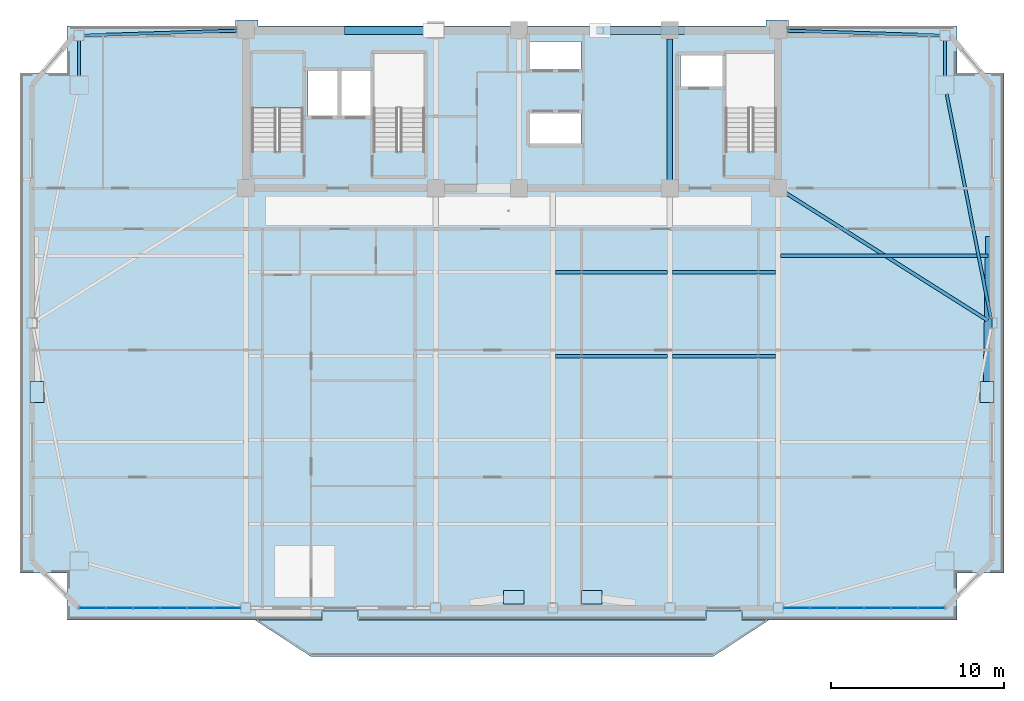
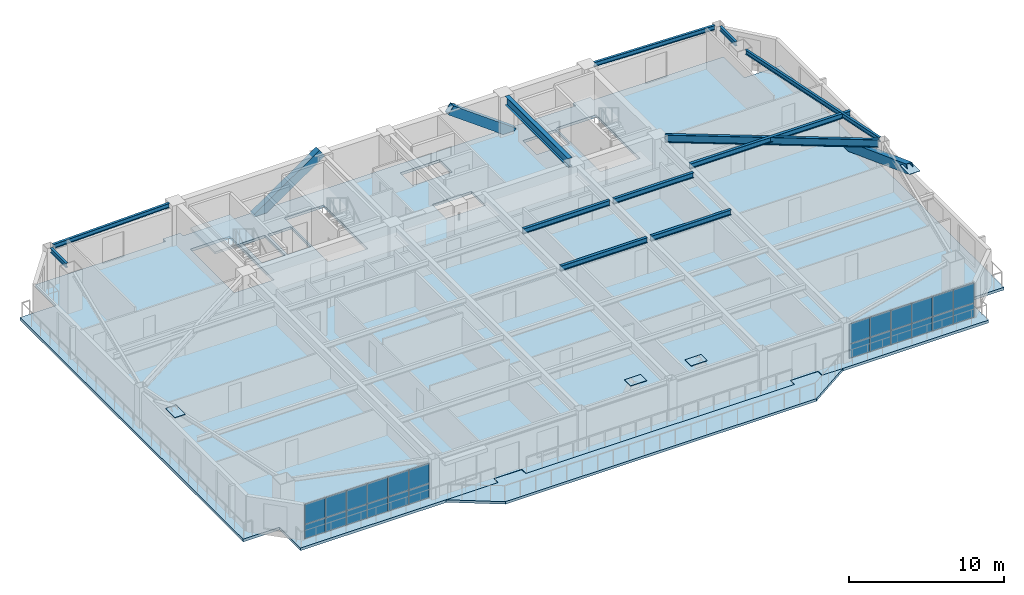
# One storey, part 7 of 16: 28 plates, 12 beams, 3 members, 3 slabs, 3 elements without a shape of their own.
"""IFC4 building model written with IfcOpenShell, lengths in metres."""

import ifcopenshell
import ifcopenshell.guid

model = None  # the IFC model being written
_history = None  # IfcOwnerHistory: only IFC2X3 demands one
_inside = {}  # id of a spatial element -> (the spatial element, [elements in it])
_under = {}  # id of a project, library or spatial element -> (it, [spatial elements below it])
_declared = {}  # id of a project -> (the project, [libraries it declares])
_typed = {}  # id of a type object -> (the type object, [elements of that type])
_made_of = {}  # id of a material, layer set ... -> (it, [elements and type objects made of it])


def new_model(schema):
    """Start an empty IFC model of exactly this schema.

    Asked for "IFC4X3", IfcOpenShell would pick the latest addendum, in which some entities
    have other attributes; the version numbers below select the first issue.
    IFC2X3 requires an IfcOwnerHistory on every rooted entity: one is made here for all.
    """
    global model, _history
    if schema == "IFC4X3":
        model = ifcopenshell.file(schema_version=(4, 3, 0, 0))
    else:
        model = ifcopenshell.file(schema=schema)
    _inside.clear()
    _under.clear()
    _declared.clear()
    _typed.clear()
    _made_of.clear()
    _history = None
    if model.schema == "IFC2X3":
        org = make("IfcOrganization", Name="unknown")
        user = make(
            "IfcPersonAndOrganization",
            ThePerson=make("IfcPerson", FamilyName="unknown"),
            TheOrganization=org,
        )
        app = make(
            "IfcApplication",
            ApplicationDeveloper=org,
            Version="unknown",
            ApplicationFullName="unknown",
            ApplicationIdentifier="unknown",
        )
        _history = make(
            "IfcOwnerHistory",
            OwningUser=user,
            OwningApplication=app,
            ChangeAction="ADDED",
            CreationDate=0,
        )
    return model


def make(cls, **values):
    """One entity of the class cls with the attributes given. An attribute that is None is left unset."""
    return model.create_entity(
        cls, **{name: value for name, value in values.items() if value is not None}
    )


def rooted(cls, **values):
    """An entity with a GlobalId (a new one), such as an element, a storey or a relation."""
    return make(cls, GlobalId=ifcopenshell.guid.new(), OwnerHistory=_history, **values)


def si_unit(unit_type, name, prefix=None):
    """IfcSIUnit, for example si_unit("LENGTHUNIT", "METRE", prefix="MILLI")."""
    return make("IfcSIUnit", UnitType=unit_type, Prefix=prefix, Name=name)


def assignment(units):
    """IfcUnitAssignment: the units of a project."""
    return None if units is None else make("IfcUnitAssignment", Units=units)


def point(xyz):
    """IfcCartesianPoint."""
    return None if xyz is None else make("IfcCartesianPoint", Coordinates=xyz)


def direction(xyz):
    """IfcDirection."""
    return None if xyz is None else make("IfcDirection", DirectionRatios=xyz)


def frame(location, z_axis=None, x_axis=None):
    """IfcAxis2Placement3D, a coordinate frame: its origin and axes. An axis left out is left unset."""
    return make(
        "IfcAxis2Placement3D",
        Location=point(location),
        Axis=direction(z_axis),
        RefDirection=direction(x_axis),
    )


def frame_2d(location, x_axis=None):
    """IfcAxis2Placement2D, a coordinate frame in the plane: its origin and x axis."""
    return make(
        "IfcAxis2Placement2D", Location=point(location), RefDirection=direction(x_axis)
    )


def origin():
    """The frame at (0, 0, 0) with its axes left unset."""
    return frame((0.0, 0.0, 0.0))


def origin_2d():
    """The frame at (0, 0) in the plane with its x axis left unset."""
    return frame_2d((0.0, 0.0))


def place(relative_to, where):
    """IfcLocalPlacement: puts the frame where relative to a parent placement (None: the world)."""
    return make(
        "IfcLocalPlacement", PlacementRelTo=relative_to, RelativePlacement=where
    )


def context(
    kind, dimensions, precision=None, world=None, true_north=None, identifier=None
):
    """IfcGeometricRepresentationContext, for example the 3D "Model" context."""
    return make(
        "IfcGeometricRepresentationContext",
        ContextIdentifier=identifier,
        ContextType=kind,
        CoordinateSpaceDimension=dimensions,
        Precision=precision,
        WorldCoordinateSystem=world,
        TrueNorth=true_north,
    )


def subcontext(parent, identifier, kind, view, scale=None):
    """IfcGeometricRepresentationSubContext, for example "Body" below "Model"."""
    return make(
        "IfcGeometricRepresentationSubContext",
        ContextIdentifier=identifier,
        ContextType=kind,
        ParentContext=parent,
        TargetScale=scale,
        TargetView=view,
    )


def project(units=None, contexts=None):
    """IfcProject with its units and contexts."""
    return rooted(
        "IfcProject",
        Name="project",
        RepresentationContexts=contexts,
        UnitsInContext=assignment(units),
    )


def spatial(cls, under=None, at=None, **own):
    """A site, building, storey or space (cls), placed at a placement, below another one or the project."""
    s = rooted(cls, ObjectPlacement=at, **own)
    if under is not None:
        _under.setdefault(under.id(), (under, []))[1].append(s)
    return s


def polyline(points):
    """IfcPolyline through the points."""
    return make("IfcPolyline", Points=[point(p) for p in points])


def profile(cls, at=None, kind="AREA", **sizes):
    """A parametric profile (cls). Its sizes go by their IFC names, for example OverallWidth=200.0."""
    return make(cls, ProfileType=kind, Position=at, **sizes)


def rectangle(**sizes):
    """IfcRectangleProfileDef."""
    return profile("IfcRectangleProfileDef", **sizes)


def hollow_rectangle(**sizes):
    """IfcRectangleHollowProfileDef."""
    return profile("IfcRectangleHollowProfileDef", **sizes)


def i_section(**sizes):
    """IfcIShapeProfileDef."""
    return profile("IfcIShapeProfileDef", **sizes)


def outline(outer, holes=None, kind="AREA"):
    """IfcArbitraryClosedProfileDef: a profile drawn as a closed curve; with holes, ...WithVoids."""
    if holes is None:
        return make("IfcArbitraryClosedProfileDef", ProfileType=kind, OuterCurve=outer)
    return make(
        "IfcArbitraryProfileDefWithVoids",
        ProfileType=kind,
        OuterCurve=outer,
        InnerCurves=holes,
    )


def extrude(swept, where, along, depth):
    """IfcExtrudedAreaSolid: the profile swept, set in the frame where, extruded along a direction by depth."""
    return make(
        "IfcExtrudedAreaSolid",
        SweptArea=swept,
        Position=where,
        ExtrudedDirection=direction(along),
        Depth=depth,
    )


def shape(context_of_items, identifier, shape_type, items):
    """IfcShapeRepresentation: the items that make up one representation, for example the "Body"."""
    return make(
        "IfcShapeRepresentation",
        ContextOfItems=context_of_items,
        RepresentationIdentifier=identifier,
        RepresentationType=shape_type,
        Items=items,
    )


def source(mapping_origin, context_of_items, identifier, shape_type, items):
    """IfcRepresentationMap: a shape defined once, which mapped items show again and again."""
    return make(
        "IfcRepresentationMap",
        MappingOrigin=mapping_origin,
        MappedRepresentation=shape(context_of_items, identifier, shape_type, items),
    )


def transform(
    local_origin,
    x_axis=None,
    y_axis=None,
    z_axis=None,
    scale=None,
    scale2=None,
    scale3=None,
    uniform=True,
):
    """IfcCartesianTransformationOperator3D, or its non-uniform kind. x_axis, y_axis, z_axis: its Axis1, 2, 3."""
    if uniform:
        return make(
            "IfcCartesianTransformationOperator3D",
            Axis1=direction(x_axis),
            Axis2=direction(y_axis),
            LocalOrigin=point(local_origin),
            Scale=scale,
            Axis3=direction(z_axis),
        )
    return make(
        "IfcCartesianTransformationOperator3DnonUniform",
        Axis1=direction(x_axis),
        Axis2=direction(y_axis),
        LocalOrigin=point(local_origin),
        Scale=scale,
        Axis3=direction(z_axis),
        Scale2=scale2,
        Scale3=scale3,
    )


def mapped(mapping_source, mapping_target):
    """IfcMappedItem: shows the shape of a source again, moved by a transform."""
    return make(
        "IfcMappedItem", MappingSource=mapping_source, MappingTarget=mapping_target
    )


def material(Name=None, Category=None):
    """IfcMaterial."""
    return make("IfcMaterial", Name=Name, Category=Category)


def layer(
    of_material, thickness, ventilated=None, Name=None, Category=None, Priority=None
):
    """IfcMaterialLayer: one layer of a wall or slab, of a material (None: an air gap)."""
    return make(
        "IfcMaterialLayer",
        Material=of_material,
        LayerThickness=thickness,
        IsVentilated=ventilated,
        Name=Name,
        Category=Category,
        Priority=Priority,
    )


def layer_set(layers, Name=None):
    """IfcMaterialLayerSet."""
    return make("IfcMaterialLayerSet", MaterialLayers=layers, LayerSetName=Name)


def material_profile(
    of_material, cross_section, Name=None, Category=None, Priority=None
):
    """IfcMaterialProfile: a cross section and its material."""
    return make(
        "IfcMaterialProfile",
        Name=Name,
        Material=of_material,
        Profile=cross_section,
        Priority=Priority,
        Category=Category,
    )


def profile_set(profiles, Name=None, composite=None):
    """IfcMaterialProfileSet."""
    return make(
        "IfcMaterialProfileSet",
        Name=Name,
        MaterialProfiles=profiles,
        CompositeProfile=composite,
    )


def made_of(thing, what):
    """Note that an element or type object is made of a material, layer set ...; save() writes the relation."""
    if what is not None:
        _made_of.setdefault(what.id(), (what, []))[1].append(thing)
    return thing


def type_object(cls, material=None, **own):
    """A type object (cls), such as IfcWallType, which elements share."""
    return made_of(rooted(cls, **own), material)


def element(
    cls,
    number,
    at=None,
    inside=None,
    cuts=None,
    type_object=None,
    material=None,
    context=None,
    identifier="Body",
    shape_type=None,
    held_by="IfcProductDefinitionShape",
    body=None,
    shapes=None,
    **own,
):
    """One element of the class cls, such as IfcWall. Its Tag is "e" and its number.

    at: its placement. inside: the storey or other place that contains it. cuts: it is an
    opening in that element (IfcRelVoidsElement). A single representation is given by context,
    identifier, shape_type and body (its items); several are given by shapes. held_by: the class
    of the entity that holds the representations. save() writes the other relations.
    """
    e = rooted(cls, Tag="e%d" % number, ObjectPlacement=at, **own)
    if body is not None:
        shapes = [shape(context, identifier, shape_type, body)]
    if shapes is not None:
        e.Representation = make(held_by, Representations=shapes)
    if inside is not None:
        _inside.setdefault(inside.id(), (inside, []))[1].append(e)
    if cuts is not None:
        rooted(
            "IfcRelVoidsElement", RelatingBuildingElement=cuts, RelatedOpeningElement=e
        )
    if type_object is not None:
        _typed.setdefault(type_object.id(), (type_object, []))[1].append(e)
    return made_of(e, material)


def aggregate(whole, parts):
    """IfcRelAggregates: a whole, such as a stair, and the parts it consists of."""
    return rooted("IfcRelAggregates", RelatingObject=whole, RelatedObjects=parts)


def save(model, path):
    """Write the relations noted so far, then the file.

    IfcRelAggregates (storeys below a building ...), IfcRelContainedInSpatialStructure (elements
    in a storey), IfcRelDefinesByType, IfcRelAssociatesMaterial and IfcRelDeclares: one each for
    every whole, place, type object, material and project.
    """
    for whole, parts in _under.values():
        aggregate(whole, parts)
    for where, things in _inside.values():
        rooted(
            "IfcRelContainedInSpatialStructure",
            RelatedElements=things,
            RelatingStructure=where,
        )
    for kind, things in _typed.values():
        rooted("IfcRelDefinesByType", RelatedObjects=things, RelatingType=kind)
    for what, things in _made_of.values():
        rooted("IfcRelAssociatesMaterial", RelatedObjects=things, RelatingMaterial=what)
    for by, libraries in _declared.values():
        rooted("IfcRelDeclares", RelatingContext=by, RelatedDefinitions=libraries)
    model.write(path)


model = new_model("IFC4")

# Units and contexts
model_context = context("Model", 3, precision=1e-05, world=origin(), true_north=direction((0.0, 1.0)))
body_context = subcontext(model_context, "Body", "Model", "MODEL_VIEW")
ifc_project = project(units=[si_unit("LENGTHUNIT", "METRE"), si_unit("AREAUNIT", "SQUARE_METRE"), si_unit("VOLUMEUNIT", "CUBIC_METRE"), si_unit("PLANEANGLEUNIT", "RADIAN"), si_unit("MASSUNIT", "GRAM", prefix="KILO")], contexts=[model_context])

# Site, building, storey
site_placement = place(None, origin())
site = spatial("IfcSite", under=ifc_project, at=site_placement, CompositionType="ELEMENT")
building_placement = place(site_placement, origin())
building = spatial("IfcBuilding", under=site, at=building_placement, Name="Giltprow Tower", CompositionType="ELEMENT")
storey_placement = place(building_placement, frame((0.0, 0.0, 230.39990234375)))
storey = spatial("IfcBuildingStorey", under=building, at=storey_placement, Name="L58", CompositionType="ELEMENT", Elevation=230.39990234375)

# Beams
ifc_material_1 = material(Name="Structural steel Q355B", Category="steel")
ifc_material_profile_1 = material_profile(ifc_material_1, i_section(OverallWidth=0.300048828125, OverallDepth=0.699951171875, WebThickness=0.012939453125, FlangeThickness=0.02392578125, at=origin_2d()), Name="HN 700x300x13x24")
ifc_profile_set_1 = profile_set([ifc_material_profile_1], Name="Structural steel Q355B")
beam_type_1 = type_object("IfcBeamType", Name="BM-GIRD-HN700", PredefinedType="BEAM", material=ifc_profile_set_1)
shared_shape_1 = source(origin(), body_context, "Body", "SweptSolid", [
    extrude(i_section(OverallWidth=0.300048828125, OverallDepth=0.699951171875, WebThickness=0.012939453125, FlangeThickness=0.02392578125, at=origin_2d()), origin(), (0.0, 0.0, 1.0), 8.1298828125),
])
beam_1_placement = place(storey_placement, frame((44.300048828125, 37.93505859375, 2.835205078125), z_axis=(0.0, 1.0, 0.0), x_axis=(-1.0, 0.0, 0.0)))
element("IfcBeam", 1, at=beam_1_placement, inside=storey, type_object=beam_type_1, Name="L58 Core Tie Girder M3", PredefinedType="BEAM", context=body_context, shape_type="MappedRepresentation", body=[
    mapped(shared_shape_1, transform((0.0, 0.0, 0.0), x_axis=(1.0, 0.0, 0.0), y_axis=(0.0, 1.0, 0.0), z_axis=(0.0, 0.0, 1.0), scale=1.0)),
])
ifc_material_profile_2 = material_profile(ifc_material_1, i_section(OverallWidth=0.199951171875, OverallDepth=0.39990234375, WebThickness=0.008056640625, FlangeThickness=0.012939453125, at=origin_2d()), Name="HN 400x200x8x13")
ifc_profile_set_2 = profile_set([ifc_material_profile_2], Name="Structural steel Q355B")
beam_type_2 = type_object("IfcBeamType", Name="BM-JOIST-HN400", PredefinedType="JOIST", material=ifc_profile_set_2)
shared_shape_2 = source(origin(), body_context, "Body", "SweptSolid", [
    extrude(i_section(OverallWidth=0.199951171875, OverallDepth=0.39990234375, WebThickness=0.008056640625, FlangeThickness=0.012939453125, at=origin_2d()), origin(), (0.0, 0.0, 1.0), 6.4599609375),
])
for number, where, z_axis, x_axis, name in (
    (2, (37.695068359375, 27.77001953125, 2.985107421875), (1.0, 0.0, 0.0), (0.0, 1.0, 0.0), "L58 Composite Floor Joist 3-3"),
    (3, (37.695068359375, 32.610107421875, 2.985107421875), (1.0, 0.0, 0.0), (0.0, 1.0, 0.0), "L58 Composite Floor Joist 4-3"),
):
    element("IfcBeam", number, at=place(storey_placement, frame(where, z_axis=z_axis, x_axis=x_axis)), inside=storey, type_object=beam_type_2, Name=name, PredefinedType="JOIST", context=body_context, shape_type="MappedRepresentation", body=[
        mapped(shared_shape_2, transform((0.0, 0.0, 0.0), x_axis=(1.0, 0.0, 0.0), y_axis=(0.0, 1.0, 0.0), z_axis=(0.0, 0.0, 1.0), scale=1.0)),
    ])
shared_shape_3 = source(origin(), body_context, "Body", "SweptSolid", [
    extrude(i_section(OverallWidth=0.199951171875, OverallDepth=0.39990234375, WebThickness=0.008056640625, FlangeThickness=0.012939453125, at=origin_2d()), origin(), (0.0, 0.0, 1.0), 5.9599609375),
])
for number, where, z_axis, x_axis, name in (
    (4, (44.445068359375, 27.77001953125, 2.985107421875), (1.0, 0.0, 0.0), (0.0, 1.0, 0.0), "L58 Composite Floor Joist 3-4"),
    (5, (44.445068359375, 32.610107421875, 2.985107421875), (1.0, 0.0, 0.0), (0.0, 1.0, 0.0), "L58 Composite Floor Joist 4-4"),
):
    element("IfcBeam", number, at=place(storey_placement, frame(where, z_axis=z_axis, x_axis=x_axis)), inside=storey, type_object=beam_type_2, Name=name, PredefinedType="JOIST", context=body_context, shape_type="MappedRepresentation", body=[
        mapped(shared_shape_3, transform((0.0, 0.0, 0.0), x_axis=(1.0, 0.0, 0.0), y_axis=(0.0, 1.0, 0.0), z_axis=(0.0, 0.0, 1.0), scale=1.0)),
    ])
ifc_material_profile_3 = material_profile(ifc_material_1, i_section(OverallWidth=0.199951171875, OverallDepth=0.60009765625, WebThickness=0.010986328125, FlangeThickness=0.01708984375, at=origin_2d()), Name="HN 600x200x11x17")
ifc_profile_set_3 = profile_set([ifc_material_profile_3], Name="Structural steel Q355B")
beam_type_3 = type_object("IfcBeamType", Name="BM-GIRD-HN600", PredefinedType="BEAM", material=ifc_profile_set_3)
shared_shape_4 = source(origin(), body_context, "Body", "SweptSolid", [
    extrude(i_section(OverallWidth=0.199951171875, OverallDepth=0.60009765625, WebThickness=0.010986328125, FlangeThickness=0.01708984375, at=origin_2d()), origin(), (0.0, 0.0, 1.0), 13.7958984375),
])
beam_2_placement = place(storey_placement, frame((62.6259765625, 29.826904296875, 2.885009765625), z_axis=(-0.845619658124, 0.533785906328, 0.0), x_axis=(-0.533785906328, -0.845619658124, 0.0)))
element("IfcBeam", 6, at=beam_2_placement, inside=storey, type_object=beam_type_3, Name="L58 East Wing Primary Girder", PredefinedType="BEAM", context=body_context, shape_type="MappedRepresentation", body=[
    mapped(shared_shape_4, transform((0.0, 0.0, 0.0), x_axis=(1.0, 0.0, 0.0), y_axis=(0.0, 1.0, 0.0), z_axis=(0.0, 0.0, 1.0), scale=1.0)),
])
shared_shape_5 = source(origin(), body_context, "Body", "SweptSolid", [
    extrude(i_section(OverallWidth=0.199951171875, OverallDepth=0.39990234375, WebThickness=0.008056640625, FlangeThickness=0.012939453125, at=origin_2d()), origin(), (0.0, 0.0, 1.0), 11.951904296875),
])
beam_3_placement = place(storey_placement, frame((50.695068359375, 33.56201171875, 2.985107421875), z_axis=(1.0, 0.0, 0.0), x_axis=(0.0, 1.0, 0.0)))
element("IfcBeam", 7, at=beam_3_placement, inside=storey, type_object=beam_type_2, Name="L58 East Wing Floor Joist 2", PredefinedType="JOIST", context=body_context, shape_type="MappedRepresentation", body=[
    mapped(shared_shape_5, transform((0.0, 0.0, 0.0), x_axis=(1.0, 0.0, 0.0), y_axis=(0.0, 1.0, 0.0), z_axis=(0.0, 0.0, 1.0), scale=1.0)),
])
ifc_material_profile_4 = material_profile(ifc_material_1, i_section(OverallWidth=0.175048828125, OverallDepth=0.35009765625, WebThickness=0.007080078125, FlangeThickness=0.010986328125, at=origin_2d()), Name="HN 350x175x7x11")
ifc_profile_set_4 = profile_set([ifc_material_profile_4], Name="Structural steel Q355B")
beam_type_4 = type_object("IfcBeamType", Name="BM-SPAN-HN350", PredefinedType="SPANDREL", material=ifc_profile_set_4)
shared_shape_6 = source(origin(), body_context, "Body", "SweptSolid", [
    extrude(i_section(OverallWidth=0.175048828125, OverallDepth=0.35009765625, WebThickness=0.007080078125, FlangeThickness=0.010986328125, at=origin_2d()), origin(), (0.0, 0.0, 1.0), 13.161865234375),
])
beam_4_placement = place(storey_placement, frame((62.81201171875, 29.955078125, 3.010009765625), z_axis=(-0.193597089577, 0.981081121471, 0.0), x_axis=(-0.981081121471, -0.193597089577, 0.0)))
element("IfcBeam", 8, at=beam_4_placement, inside=storey, type_object=beam_type_4, Name="L58 Perimeter Spandrel Beam E_MID-MC_NE", PredefinedType="SPANDREL", context=body_context, shape_type="MappedRepresentation", body=[
    mapped(shared_shape_6, transform((0.0, 0.0, 0.0), x_axis=(1.0, 0.0, 0.0), y_axis=(0.0, 1.0, 0.0), z_axis=(0.0, 0.0, 1.0), scale=1.0)),
])
shared_shape_7 = source(origin(), body_context, "Body", "SweptSolid", [
    extrude(i_section(OverallWidth=0.175048828125, OverallDepth=0.35009765625, WebThickness=0.007080078125, FlangeThickness=0.010986328125, at=origin_2d()), origin(), (0.0, 0.0, 1.0), 2.037109375),
])
for number, where, z_axis, x_axis, name in (
    (9, (60.159912109375, 43.927978515625, 3.010009765625), (0.0, 1.0, 0.0), (-1.0, 0.0, 0.0), "L58 Perimeter Spandrel Beam MC_NE-N_E"),
    (10, (10.239990234375, 45.965087890625, 3.010009765625), (0.0, -1.0, 0.0), (1.0, 0.0, 0.0), "L58 Perimeter Spandrel Beam N_W-MC_NW"),
):
    element("IfcBeam", number, at=place(storey_placement, frame(where, z_axis=z_axis, x_axis=x_axis)), inside=storey, type_object=beam_type_4, Name=name, PredefinedType="SPANDREL", context=body_context, shape_type="MappedRepresentation", body=[
        mapped(shared_shape_7, transform((0.0, 0.0, 0.0), x_axis=(1.0, 0.0, 0.0), y_axis=(0.0, 1.0, 0.0), z_axis=(0.0, 0.0, 1.0), scale=1.0)),
    ])
shared_shape_8 = source(origin(), body_context, "Body", "SweptSolid", [
    extrude(i_section(OverallWidth=0.175048828125, OverallDepth=0.35009765625, WebThickness=0.007080078125, FlangeThickness=0.010986328125, at=origin_2d()), origin(), (0.0, 0.0, 1.0), 8.844482421875),
])
for number, where, z_axis, x_axis, name in (
    (11, (10.52490234375, 46.259033203125, 3.010009765625), (0.999513394801, 0.031192524956, 0.0), (-0.031192524956, 0.999513394801, 0.0), "L58 North Wing Spandrel W"),
    (12, (51.034912109375, 46.534912109375, 3.010009765625), (0.999513394801, -0.031192524956, 0.0), (0.031192524956, 0.999513394801, 0.0), "L58 North Wing Spandrel E"),
):
    element("IfcBeam", number, at=place(storey_placement, frame(where, z_axis=z_axis, x_axis=x_axis)), inside=storey, type_object=beam_type_4, Name=name, PredefinedType="SPANDREL", context=body_context, shape_type="MappedRepresentation", body=[
        mapped(shared_shape_8, transform((0.0, 0.0, 0.0), x_axis=(1.0, 0.0, 0.0), y_axis=(0.0, 1.0, 0.0), z_axis=(0.0, 0.0, 1.0), scale=1.0)),
    ])

# Members
ifc_material_2 = material(Name="Structural steel Q420GJC", Category="steel")
ifc_material_profile_5 = material_profile(ifc_material_2, hollow_rectangle(XDim=0.449951171875, YDim=0.699951171875, WallThickness=0.031982421875, at=origin_2d()), Name="RHS 700x450x32")
ifc_profile_set_5 = profile_set([ifc_material_profile_5], Name="Structural steel Q420GJC")
member_type = type_object("IfcMemberType", Name="MBR-MEGA-RHS700", PredefinedType="BRACE", material=ifc_profile_set_5)
shared_shape_9 = source(origin(), body_context, "Body", "SweptSolid", [
    extrude(hollow_rectangle(XDim=0.449951171875, YDim=0.699951171875, WallThickness=0.031982421875, at=origin_2d()), origin(), (0.0, 0.0, 1.0), 9.481689453125),
])
member_1_placement = place(storey_placement, frame((62.72900390625, 34.54296875, 0.0), z_axis=(-0.014651159185, -0.933374111269, 0.35860578906), x_axis=(0.999876825097, -0.01569505127, 0.0)))
element("IfcMember", 13, at=member_1_placement, inside=storey, type_object=member_type, Name="L58 Chevron Mega-Brace E-D", PredefinedType="BRACE", context=body_context, shape_type="MappedRepresentation", body=[
    mapped(shared_shape_9, transform((0.0, 0.0, 0.0), x_axis=(1.0, 0.0, 0.0), y_axis=(0.0, 1.0, 0.0), z_axis=(0.0, 0.0, 1.0), scale=1.0)),
])
shared_shape_10 = source(origin(), body_context, "Body", "SweptSolid", [
    extrude(hollow_rectangle(XDim=0.449951171875, YDim=0.699951171875, WallThickness=0.031982421875, at=origin_2d()), origin(), (0.0, 0.0, 1.0), 5.991943359375),
])
member_2_placement = place(storey_placement, frame((25.73291015625, 46.550048828125, -0.139892578125), z_axis=(0.823439915598, 0.0, 0.567403476725), x_axis=(0.0, 1.0, 0.0)))
element("IfcMember", 14, at=member_2_placement, inside=storey, type_object=member_type, Name="L58 Chevron Mega-Brace N-L", PredefinedType="BRACE", context=body_context, shape_type="MappedRepresentation", body=[
    mapped(shared_shape_10, transform((0.0, 0.0, 0.0), x_axis=(1.0, 0.0, 0.0), y_axis=(0.0, 1.0, 0.0), z_axis=(0.0, 0.0, 1.0), scale=1.0)),
])
shared_shape_11 = source(origin(), body_context, "Body", "SweptSolid", [
    extrude(hollow_rectangle(XDim=0.449951171875, YDim=0.699951171875, WallThickness=0.031982421875, at=origin_2d()), origin(), (0.0, 0.0, 1.0), 5.773193359375),
])
member_3_placement = place(storey_placement, frame((44.93310546875, 46.550048828125, -0.139892578125), z_axis=(-0.808205443046, 0.0, 0.588900638335), x_axis=(0.0, -1.0, 0.0)))
element("IfcMember", 15, at=member_3_placement, inside=storey, type_object=member_type, Name="L58 Chevron Mega-Brace N-R", PredefinedType="BRACE", context=body_context, shape_type="MappedRepresentation", body=[
    mapped(shared_shape_11, transform((0.0, 0.0, 0.0), x_axis=(1.0, 0.0, 0.0), y_axis=(0.0, 1.0, 0.0), z_axis=(0.0, 0.0, 1.0), scale=1.0)),
])

# Slabs
ifc_material_3 = material(Name="Concrete C40", Category="concrete")
ifc_layer_1 = layer(ifc_material_3, 0.199951171875, Name="Concrete C40")
ifc_layer_set_1 = layer_set([ifc_layer_1], Name="Concrete C40")
slab_type_1 = type_object("IfcSlabType", Name="SLB-BALC-BRONZE-200", PredefinedType="FLOOR", material=ifc_layer_set_1)
slab_1_placement = place(storey_placement, frame((0.0, 0.0, -0.199951171875)))
element("IfcSlab", 16, at=slab_1_placement, inside=storey, type_object=slab_type_1, Name="L58 Bronze Prow Waterfront Balcony Slab", PredefinedType="FLOOR", context=body_context, shape_type="SweptSolid", body=[
    extrude(outline(polyline([(50.0, 12.550048828125), (46.800048828125, 10.449951171875), (23.60009765625, 10.449951171875), (20.39990234375, 12.550048828125), (24.280029296875, 12.550048828125), (24.280029296875, 13.050048828125), (26.320068359375, 13.050048828125), (26.320068359375, 12.550048828125), (46.3798828125, 12.550048828125), (46.3798828125, 13.050048828125), (48.419921875, 13.050048828125), (48.419921875, 12.550048828125), (50.0, 12.550048828125)])), origin(), (0.0, 0.0, 1.0), 0.199951171875),
])
ifc_layer_2 = layer(ifc_material_3, 0.215087890625, Name="Concrete C40")
ifc_layer_set_2 = layer_set([ifc_layer_2], Name="Concrete C40")
slab_type_2 = type_object("IfcSlabType", Name="SLB-RES-215", PredefinedType="FLOOR", material=ifc_layer_set_2)
slab_2_placement = place(storey_placement, frame((0.0, 0.0, -0.21484375)))
element("IfcSlab", 17, at=slab_2_placement, inside=storey, type_object=slab_type_2, Name="L58 Structural Composite Floor Slab", PredefinedType="FLOOR", context=body_context, shape_type="SweptSolid", body=[
    extrude(outline(polyline([(63.56689453125, 44.093017578125), (63.56689453125, 15.257080078125), (60.860107421875, 15.257080078125), (60.860107421875, 12.550048828125), (48.449951171875, 12.550048828125), (48.449951171875, 13.070068359375), (46.35009765625, 13.070068359375), (46.35009765625, 12.550048828125), (26.35009765625, 12.550048828125), (26.35009765625, 13.070068359375), (24.25, 13.070068359375), (24.25, 12.550048828125), (9.5400390625, 12.550048828125), (9.5400390625, 15.257080078125), (6.8330078125, 15.257080078125), (6.8330078125, 44.093017578125), (9.5400390625, 44.093017578125), (9.5400390625, 46.800048828125), (19.25, 46.800048828125), (19.25, 47.14990234375), (20.550048828125, 47.14990234375), (20.550048828125, 46.800048828125), (49.85009765625, 46.800048828125), (49.85009765625, 47.14990234375), (51.14990234375, 47.14990234375), (51.14990234375, 46.800048828125), (60.860107421875, 46.800048828125), (60.860107421875, 44.093017578125), (63.56689453125, 44.093017578125)]), holes=[polyline([(39.18994140625, 41.800048828125), (36.239990234375, 41.800048828125), (36.239990234375, 40.0), (39.18994140625, 40.0), (39.18994140625, 41.800048828125)]), polyline([(23.159912109375, 39.570068359375), (23.159912109375, 45.25), (20.199951171875, 45.25), (20.199951171875, 39.570068359375), (23.159912109375, 39.570068359375)]), polyline([(30.159912109375, 39.570068359375), (30.159912109375, 45.25), (27.199951171875, 45.25), (27.199951171875, 39.570068359375), (30.159912109375, 39.570068359375)]), polyline([(50.4599609375, 45.25), (47.5, 45.25), (47.5, 39.570068359375), (50.4599609375, 39.570068359375), (50.4599609375, 45.25)]), polyline([(25.169921875, 44.199951171875), (23.449951171875, 44.199951171875), (23.449951171875, 41.60009765625), (25.169921875, 41.60009765625), (25.169921875, 44.199951171875)]), polyline([(27.10009765625, 44.199951171875), (25.35009765625, 44.199951171875), (25.35009765625, 41.60009765625), (27.10009765625, 41.60009765625), (27.10009765625, 44.199951171875)]), polyline([(47.3798828125, 43.300048828125), (47.3798828125, 45.10009765625), (44.919921875, 45.10009765625), (44.919921875, 43.300048828125), (47.3798828125, 43.300048828125)]), polyline([(39.18994140625, 44.300048828125), (39.18994140625, 45.919921875), (36.239990234375, 45.919921875), (36.239990234375, 44.300048828125), (39.18994140625, 44.300048828125)])]), origin(), (0.0, 0.0, 1.0), 0.21484375),
])

# Stair, slab
stair_type = type_object("IfcStairType", Name="STR-ST-1", PredefinedType="HALF_TURN_STAIR", material=ifc_material_3)
stair_placement = place(storey_placement, origin())
stair = element("IfcStair", 18, at=stair_placement, inside=storey, type_object=stair_type, Name="L58 Core Exit Stair ST-1", PredefinedType="HALF_TURN_STAIR")
ifc_layer_3 = layer(ifc_material_3, 0.179931640625, Name="Concrete C40")
ifc_layer_set_3 = layer_set([ifc_layer_3], Name="Concrete C40")
slab_type_3 = type_object("IfcSlabType", Name="SLD-ST-1", PredefinedType="LANDING", material=ifc_layer_set_3)
slab_3_placement = place(storey_placement, frame((0.0, 0.0, 1.52001953125)))
slab_3 = element("IfcSlab", 19, at=slab_3_placement, type_object=slab_type_3, Name="ST-1 landing 1", PredefinedType="LANDING", context=body_context, shape_type="SweptSolid", body=[
    extrude(outline(polyline([(23.159912109375, 42.070068359375), (23.159912109375, 45.25), (20.199951171875, 45.25), (20.199951171875, 42.070068359375), (23.159912109375, 42.070068359375)])), origin(), (0.0, 0.0, 1.0), 0.18017578125),
])
aggregate(stair, [slab_3])

# Plates
plate_type_1 = type_object("IfcPlateType", Name="PLT-CAP-SEAL", PredefinedType="USERDEFINED", material=ifc_material_2)
shared_shape_12 = source(origin(), body_context, "Body", "SweptSolid", [
    extrude(rectangle(XDim=1.199951171875, YDim=0.800048828125, at=origin_2d()), origin(), (0.0, 0.0, 1.0), 0.034912109375),
])
for number, where, z_axis, x_axis, name in (
    (20, (35.300048828125, 13.87109375, 3.3828125), (0.0, 0.0, 1.0), (1.0, 0.0, 0.0), "Mega-Brace Node L58-S-LB"),
    (21, (39.800048828125, 13.87109375, 3.3828125), (0.0, 0.0, 1.0), (1.0, 0.0, 0.0), "Mega-Brace Node L58-S-RB"),
    (22, (7.81005859375, 25.693115234375, 3.3828125), (0.0, 0.0, 1.0), (0.0, 1.0, 0.0), "Mega-Brace Node L58-W-DB"),
    (23, (62.590087890625, 25.693115234375, 3.3828125), (0.0, 0.0, 1.0), (0.0, 1.0, 0.0), "Mega-Brace Node L58-E-DB"),
):
    element("IfcPlate", number, at=place(storey_placement, frame(where, z_axis=z_axis, x_axis=x_axis)), inside=storey, type_object=plate_type_1, Name=name, ObjectType="SPLICE", PredefinedType="USERDEFINED", context=body_context, shape_type="MappedRepresentation", body=[
        mapped(shared_shape_12, transform((0.0, 0.0, 0.0), x_axis=(1.0, 0.0, 0.0), y_axis=(0.0, 1.0, 0.0), z_axis=(0.0, 0.0, 1.0), scale=1.0)),
    ])

# Curtain wall, plates
ifc_material_4 = material(Name="Anodized bronze", Category="metal")
ifc_layer_4 = layer(ifc_material_4, 0.179931640625, Name="Anodized bronze")
ifc_layer_set_4 = layer_set([ifc_layer_4], Name="Anodized bronze")
curtain_wall_type = type_object("IfcCurtainWallType", Name="CW-RES-SKY", PredefinedType="NOTDEFINED", material=ifc_layer_set_4)
curtain_wall_1_placement = place(storey_placement, origin())
curtain_wall_1 = element("IfcCurtainWall", 24, at=curtain_wall_1_placement, inside=storey, type_object=curtain_wall_type, Name="L58 South Recessed Curtain Wall 1", PredefinedType="NOTDEFINED")
ifc_material_5 = material(Name="Insulated glass", Category="glass")
plate_type_2 = type_object("IfcPlateType", Name="CW-PANEL-IGU-28", PredefinedType="CURTAIN_PANEL", material=ifc_material_5)
shared_shape_13 = source(origin(), body_context, "Body", "SweptSolid", [
    extrude(rectangle(XDim=1.52197265625, YDim=0.028076171875, at=origin_2d()), origin(), (0.0, 0.0, 1.0), 1.114013671875),
])
plate_1_placement = place(storey_placement, frame((11.01611328125, 13.25, 0.05419921875), z_axis=(0.0, 0.0, 1.0), x_axis=(1.0, 0.0, 0.0)))
plate_1 = element("IfcPlate", 25, at=plate_1_placement, type_object=plate_type_2, Name="L58 South Recessed Curtain Wall 1 Glazing Panel 1-1", PredefinedType="CURTAIN_PANEL", context=body_context, shape_type="MappedRepresentation", body=[
    mapped(shared_shape_13, transform((0.0, 0.0, 0.0), x_axis=(1.0, 0.0, 0.0), y_axis=(0.0, 1.0, 0.0), z_axis=(0.0, 0.0, 1.0), scale=1.0)),
])
plate_2_placement = place(storey_placement, frame((12.568115234375, 13.25, 0.05419921875), z_axis=(0.0, 0.0, 1.0), x_axis=(1.0, 0.0, 0.0)))
plate_2 = element("IfcPlate", 26, at=plate_2_placement, type_object=plate_type_2, Name="L58 South Recessed Curtain Wall 1 Glazing Panel 2-1", PredefinedType="CURTAIN_PANEL", context=body_context, shape_type="MappedRepresentation", body=[
    mapped(shared_shape_13, transform((0.0, 0.0, 0.0), x_axis=(1.0, 0.0, 0.0), y_axis=(0.0, 1.0, 0.0), z_axis=(0.0, 0.0, 1.0), scale=1.0)),
])
plate_3_placement = place(storey_placement, frame((14.118896484375, 13.25, 0.05419921875), z_axis=(0.0, 0.0, 1.0), x_axis=(1.0, 0.0, 0.0)))
plate_3 = element("IfcPlate", 27, at=plate_3_placement, type_object=plate_type_2, Name="L58 South Recessed Curtain Wall 1 Glazing Panel 3-1", PredefinedType="CURTAIN_PANEL", context=body_context, shape_type="MappedRepresentation", body=[
    mapped(shared_shape_13, transform((0.0, 0.0, 0.0), x_axis=(1.0, 0.0, 0.0), y_axis=(0.0, 1.0, 0.0), z_axis=(0.0, 0.0, 1.0), scale=1.0)),
])
plate_4_placement = place(storey_placement, frame((15.6708984375, 13.25, 0.05419921875), z_axis=(0.0, 0.0, 1.0), x_axis=(1.0, 0.0, 0.0)))
plate_4 = element("IfcPlate", 28, at=plate_4_placement, type_object=plate_type_2, Name="L58 South Recessed Curtain Wall 1 Glazing Panel 4-1", PredefinedType="CURTAIN_PANEL", context=body_context, shape_type="MappedRepresentation", body=[
    mapped(shared_shape_13, transform((0.0, 0.0, 0.0), x_axis=(1.0, 0.0, 0.0), y_axis=(0.0, 1.0, 0.0), z_axis=(0.0, 0.0, 1.0), scale=1.0)),
])
plate_5_placement = place(storey_placement, frame((17.222900390625, 13.25, 0.05419921875), z_axis=(0.0, 0.0, 1.0), x_axis=(1.0, 0.0, 0.0)))
plate_5 = element("IfcPlate", 29, at=plate_5_placement, type_object=plate_type_2, Name="L58 South Recessed Curtain Wall 1 Glazing Panel 5-1", PredefinedType="CURTAIN_PANEL", context=body_context, shape_type="MappedRepresentation", body=[
    mapped(shared_shape_13, transform((0.0, 0.0, 0.0), x_axis=(1.0, 0.0, 0.0), y_axis=(0.0, 1.0, 0.0), z_axis=(0.0, 0.0, 1.0), scale=1.0)),
])
plate_6_placement = place(storey_placement, frame((18.77392578125, 13.25, 0.05419921875), z_axis=(0.0, 0.0, 1.0), x_axis=(1.0, 0.0, 0.0)))
plate_6 = element("IfcPlate", 30, at=plate_6_placement, type_object=plate_type_2, Name="L58 South Recessed Curtain Wall 1 Glazing Panel 6-1", PredefinedType="CURTAIN_PANEL", context=body_context, shape_type="MappedRepresentation", body=[
    mapped(shared_shape_13, transform((0.0, 0.0, 0.0), x_axis=(1.0, 0.0, 0.0), y_axis=(0.0, 1.0, 0.0), z_axis=(0.0, 0.0, 1.0), scale=1.0)),
])

curtain_wall_2_placement = place(storey_placement, origin())
curtain_wall_2 = element("IfcCurtainWall", 31, at=curtain_wall_2_placement, inside=storey, type_object=curtain_wall_type, Name="L58 South Recessed Curtain Wall 6", PredefinedType="NOTDEFINED")
plate_7_placement = place(storey_placement, frame((51.6259765625, 13.25, 0.05419921875), z_axis=(0.0, 0.0, 1.0), x_axis=(1.0, 0.0, 0.0)))
plate_7 = element("IfcPlate", 32, at=plate_7_placement, type_object=plate_type_2, Name="L58 South Recessed Curtain Wall 6 Glazing Panel 1-1", PredefinedType="CURTAIN_PANEL", context=body_context, shape_type="MappedRepresentation", body=[
    mapped(shared_shape_13, transform((0.0, 0.0, 0.0), x_axis=(1.0, 0.0, 0.0), y_axis=(0.0, 1.0, 0.0), z_axis=(0.0, 0.0, 1.0), scale=1.0)),
])
plate_8_placement = place(storey_placement, frame((53.177978515625, 13.25, 0.05419921875), z_axis=(0.0, 0.0, 1.0), x_axis=(1.0, 0.0, 0.0)))
plate_8 = element("IfcPlate", 33, at=plate_8_placement, type_object=plate_type_2, Name="L58 South Recessed Curtain Wall 6 Glazing Panel 2-1", PredefinedType="CURTAIN_PANEL", context=body_context, shape_type="MappedRepresentation", body=[
    mapped(shared_shape_13, transform((0.0, 0.0, 0.0), x_axis=(1.0, 0.0, 0.0), y_axis=(0.0, 1.0, 0.0), z_axis=(0.0, 0.0, 1.0), scale=1.0)),
])
plate_9_placement = place(storey_placement, frame((54.72900390625, 13.25, 0.05419921875), z_axis=(0.0, 0.0, 1.0), x_axis=(1.0, 0.0, 0.0)))
plate_9 = element("IfcPlate", 34, at=plate_9_placement, type_object=plate_type_2, Name="L58 South Recessed Curtain Wall 6 Glazing Panel 3-1", PredefinedType="CURTAIN_PANEL", context=body_context, shape_type="MappedRepresentation", body=[
    mapped(shared_shape_13, transform((0.0, 0.0, 0.0), x_axis=(1.0, 0.0, 0.0), y_axis=(0.0, 1.0, 0.0), z_axis=(0.0, 0.0, 1.0), scale=1.0)),
])
plate_10_placement = place(storey_placement, frame((56.281005859375, 13.25, 0.05419921875), z_axis=(0.0, 0.0, 1.0), x_axis=(1.0, 0.0, 0.0)))
plate_10 = element("IfcPlate", 35, at=plate_10_placement, type_object=plate_type_2, Name="L58 South Recessed Curtain Wall 6 Glazing Panel 4-1", PredefinedType="CURTAIN_PANEL", context=body_context, shape_type="MappedRepresentation", body=[
    mapped(shared_shape_13, transform((0.0, 0.0, 0.0), x_axis=(1.0, 0.0, 0.0), y_axis=(0.0, 1.0, 0.0), z_axis=(0.0, 0.0, 1.0), scale=1.0)),
])
plate_11_placement = place(storey_placement, frame((57.83203125, 13.25, 0.05419921875), z_axis=(0.0, 0.0, 1.0), x_axis=(1.0, 0.0, 0.0)))
plate_11 = element("IfcPlate", 36, at=plate_11_placement, type_object=plate_type_2, Name="L58 South Recessed Curtain Wall 6 Glazing Panel 5-1", PredefinedType="CURTAIN_PANEL", context=body_context, shape_type="MappedRepresentation", body=[
    mapped(shared_shape_13, transform((0.0, 0.0, 0.0), x_axis=(1.0, 0.0, 0.0), y_axis=(0.0, 1.0, 0.0), z_axis=(0.0, 0.0, 1.0), scale=1.0)),
])
plate_12_placement = place(storey_placement, frame((59.384033203125, 13.25, 0.05419921875), z_axis=(0.0, 0.0, 1.0), x_axis=(1.0, 0.0, 0.0)))
plate_12 = element("IfcPlate", 37, at=plate_12_placement, type_object=plate_type_2, Name="L58 South Recessed Curtain Wall 6 Glazing Panel 6-1", PredefinedType="CURTAIN_PANEL", context=body_context, shape_type="MappedRepresentation", body=[
    mapped(shared_shape_13, transform((0.0, 0.0, 0.0), x_axis=(1.0, 0.0, 0.0), y_axis=(0.0, 1.0, 0.0), z_axis=(0.0, 0.0, 1.0), scale=1.0)),
])

# Plate
shared_shape_14 = source(origin(), body_context, "Body", "SweptSolid", [
    extrude(rectangle(XDim=1.52197265625, YDim=0.028076171875, at=origin_2d()), origin(), (0.0, 0.0, 1.0), 1.56494140625),
])
plate_13_placement = place(storey_placement, frame((11.01611328125, 13.25, 1.196533203125), z_axis=(0.0, 0.0, 1.0), x_axis=(1.0, 0.0, 0.0)))
plate_13 = element("IfcPlate", 38, at=plate_13_placement, type_object=plate_type_2, Name="L58 South Recessed Curtain Wall 1 Glazing Panel 1-2", PredefinedType="CURTAIN_PANEL", context=body_context, shape_type="MappedRepresentation", body=[
    mapped(shared_shape_14, transform((0.0, 0.0, 0.0), x_axis=(1.0, 0.0, 0.0), y_axis=(0.0, 1.0, 0.0), z_axis=(0.0, 0.0, 1.0), scale=1.0)),
])

plate_14_placement = place(storey_placement, frame((12.568115234375, 13.25, 1.196533203125), z_axis=(0.0, 0.0, 1.0), x_axis=(1.0, 0.0, 0.0)))
plate_14 = element("IfcPlate", 39, at=plate_14_placement, type_object=plate_type_2, Name="L58 South Recessed Curtain Wall 1 Glazing Panel 2-2", PredefinedType="CURTAIN_PANEL", context=body_context, shape_type="MappedRepresentation", body=[
    mapped(shared_shape_14, transform((0.0, 0.0, 0.0), x_axis=(1.0, 0.0, 0.0), y_axis=(0.0, 1.0, 0.0), z_axis=(0.0, 0.0, 1.0), scale=1.0)),
])

plate_15_placement = place(storey_placement, frame((14.118896484375, 13.25, 1.196533203125), z_axis=(0.0, 0.0, 1.0), x_axis=(1.0, 0.0, 0.0)))
plate_15 = element("IfcPlate", 40, at=plate_15_placement, type_object=plate_type_2, Name="L58 South Recessed Curtain Wall 1 Glazing Panel 3-2", PredefinedType="CURTAIN_PANEL", context=body_context, shape_type="MappedRepresentation", body=[
    mapped(shared_shape_14, transform((0.0, 0.0, 0.0), x_axis=(1.0, 0.0, 0.0), y_axis=(0.0, 1.0, 0.0), z_axis=(0.0, 0.0, 1.0), scale=1.0)),
])

plate_16_placement = place(storey_placement, frame((15.6708984375, 13.25, 1.196533203125), z_axis=(0.0, 0.0, 1.0), x_axis=(1.0, 0.0, 0.0)))
plate_16 = element("IfcPlate", 41, at=plate_16_placement, type_object=plate_type_2, Name="L58 South Recessed Curtain Wall 1 Glazing Panel 4-2", PredefinedType="CURTAIN_PANEL", context=body_context, shape_type="MappedRepresentation", body=[
    mapped(shared_shape_14, transform((0.0, 0.0, 0.0), x_axis=(1.0, 0.0, 0.0), y_axis=(0.0, 1.0, 0.0), z_axis=(0.0, 0.0, 1.0), scale=1.0)),
])

plate_17_placement = place(storey_placement, frame((17.222900390625, 13.25, 1.196533203125), z_axis=(0.0, 0.0, 1.0), x_axis=(1.0, 0.0, 0.0)))
plate_17 = element("IfcPlate", 42, at=plate_17_placement, type_object=plate_type_2, Name="L58 South Recessed Curtain Wall 1 Glazing Panel 5-2", PredefinedType="CURTAIN_PANEL", context=body_context, shape_type="MappedRepresentation", body=[
    mapped(shared_shape_14, transform((0.0, 0.0, 0.0), x_axis=(1.0, 0.0, 0.0), y_axis=(0.0, 1.0, 0.0), z_axis=(0.0, 0.0, 1.0), scale=1.0)),
])

plate_18_placement = place(storey_placement, frame((18.77392578125, 13.25, 1.196533203125), z_axis=(0.0, 0.0, 1.0), x_axis=(1.0, 0.0, 0.0)))
plate_18 = element("IfcPlate", 43, at=plate_18_placement, type_object=plate_type_2, Name="L58 South Recessed Curtain Wall 1 Glazing Panel 6-2", PredefinedType="CURTAIN_PANEL", context=body_context, shape_type="MappedRepresentation", body=[
    mapped(shared_shape_14, transform((0.0, 0.0, 0.0), x_axis=(1.0, 0.0, 0.0), y_axis=(0.0, 1.0, 0.0), z_axis=(0.0, 0.0, 1.0), scale=1.0)),
])

aggregate(curtain_wall_1, [plate_1, plate_13, plate_2, plate_14, plate_3, plate_15, plate_4, plate_16, plate_5, plate_17, plate_6, plate_18])

plate_19_placement = place(storey_placement, frame((51.6259765625, 13.25, 1.196533203125), z_axis=(0.0, 0.0, 1.0), x_axis=(1.0, 0.0, 0.0)))
plate_19 = element("IfcPlate", 44, at=plate_19_placement, type_object=plate_type_2, Name="L58 South Recessed Curtain Wall 6 Glazing Panel 1-2", PredefinedType="CURTAIN_PANEL", context=body_context, shape_type="MappedRepresentation", body=[
    mapped(shared_shape_14, transform((0.0, 0.0, 0.0), x_axis=(1.0, 0.0, 0.0), y_axis=(0.0, 1.0, 0.0), z_axis=(0.0, 0.0, 1.0), scale=1.0)),
])

plate_20_placement = place(storey_placement, frame((53.177978515625, 13.25, 1.196533203125), z_axis=(0.0, 0.0, 1.0), x_axis=(1.0, 0.0, 0.0)))
plate_20 = element("IfcPlate", 45, at=plate_20_placement, type_object=plate_type_2, Name="L58 South Recessed Curtain Wall 6 Glazing Panel 2-2", PredefinedType="CURTAIN_PANEL", context=body_context, shape_type="MappedRepresentation", body=[
    mapped(shared_shape_14, transform((0.0, 0.0, 0.0), x_axis=(1.0, 0.0, 0.0), y_axis=(0.0, 1.0, 0.0), z_axis=(0.0, 0.0, 1.0), scale=1.0)),
])

plate_21_placement = place(storey_placement, frame((54.72900390625, 13.25, 1.196533203125), z_axis=(0.0, 0.0, 1.0), x_axis=(1.0, 0.0, 0.0)))
plate_21 = element("IfcPlate", 46, at=plate_21_placement, type_object=plate_type_2, Name="L58 South Recessed Curtain Wall 6 Glazing Panel 3-2", PredefinedType="CURTAIN_PANEL", context=body_context, shape_type="MappedRepresentation", body=[
    mapped(shared_shape_14, transform((0.0, 0.0, 0.0), x_axis=(1.0, 0.0, 0.0), y_axis=(0.0, 1.0, 0.0), z_axis=(0.0, 0.0, 1.0), scale=1.0)),
])

plate_22_placement = place(storey_placement, frame((56.281005859375, 13.25, 1.196533203125), z_axis=(0.0, 0.0, 1.0), x_axis=(1.0, 0.0, 0.0)))
plate_22 = element("IfcPlate", 47, at=plate_22_placement, type_object=plate_type_2, Name="L58 South Recessed Curtain Wall 6 Glazing Panel 4-2", PredefinedType="CURTAIN_PANEL", context=body_context, shape_type="MappedRepresentation", body=[
    mapped(shared_shape_14, transform((0.0, 0.0, 0.0), x_axis=(1.0, 0.0, 0.0), y_axis=(0.0, 1.0, 0.0), z_axis=(0.0, 0.0, 1.0), scale=1.0)),
])

plate_23_placement = place(storey_placement, frame((57.83203125, 13.25, 1.196533203125), z_axis=(0.0, 0.0, 1.0), x_axis=(1.0, 0.0, 0.0)))
plate_23 = element("IfcPlate", 48, at=plate_23_placement, type_object=plate_type_2, Name="L58 South Recessed Curtain Wall 6 Glazing Panel 5-2", PredefinedType="CURTAIN_PANEL", context=body_context, shape_type="MappedRepresentation", body=[
    mapped(shared_shape_14, transform((0.0, 0.0, 0.0), x_axis=(1.0, 0.0, 0.0), y_axis=(0.0, 1.0, 0.0), z_axis=(0.0, 0.0, 1.0), scale=1.0)),
])

plate_24_placement = place(storey_placement, frame((59.384033203125, 13.25, 1.196533203125), z_axis=(0.0, 0.0, 1.0), x_axis=(1.0, 0.0, 0.0)))
plate_24 = element("IfcPlate", 49, at=plate_24_placement, type_object=plate_type_2, Name="L58 South Recessed Curtain Wall 6 Glazing Panel 6-2", PredefinedType="CURTAIN_PANEL", context=body_context, shape_type="MappedRepresentation", body=[
    mapped(shared_shape_14, transform((0.0, 0.0, 0.0), x_axis=(1.0, 0.0, 0.0), y_axis=(0.0, 1.0, 0.0), z_axis=(0.0, 0.0, 1.0), scale=1.0)),
])

aggregate(curtain_wall_2, [plate_7, plate_19, plate_8, plate_20, plate_9, plate_21, plate_10, plate_22, plate_11, plate_23, plate_12, plate_24])

save(model, "model.ifc")
